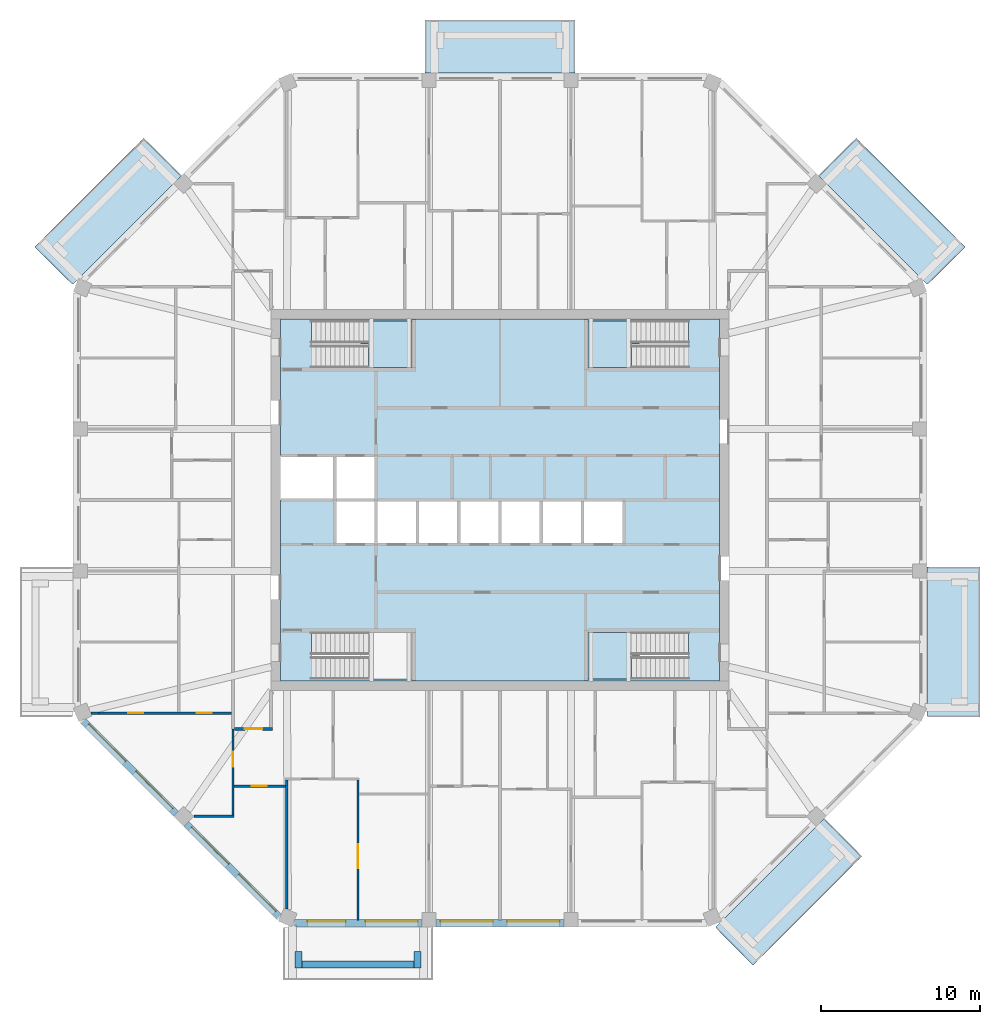
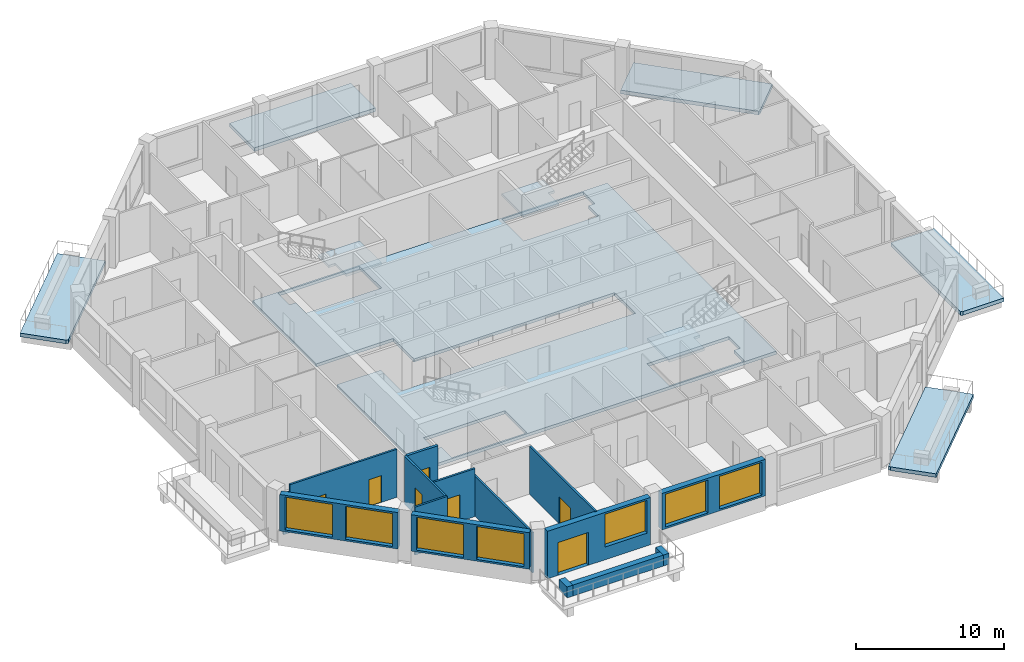
# One storey, part 2 of 11: 15 walls, 9 slabs, 7 doors, 7 windows, 14 openings, 3 elements without a shape of their own.
"""IFC4 building model written with IfcOpenShell, lengths in metres."""

from ifc_helpers import new_model, si_unit, direction, frame, frame_2d, origin, place, context, subcontext, project, spatial, polyline, rectangle, outline, extrude, material, layer, layer_set, type_object, element, fill, aggregate, save


model = new_model("IFC4")

# Units and contexts
model_context = context("Model", 3, precision=1e-05, world=origin(), true_north=direction((0.0, 1.0)))
body_context = subcontext(model_context, "Body", "Model", "MODEL_VIEW")
ifc_project = project(units=[si_unit("LENGTHUNIT", "METRE"), si_unit("AREAUNIT", "SQUARE_METRE"), si_unit("VOLUMEUNIT", "CUBIC_METRE"), si_unit("PLANEANGLEUNIT", "RADIAN"), si_unit("MASSUNIT", "GRAM", prefix="KILO")], contexts=[model_context])

# Site, building, storey
site_placement = place(None, origin())
site = spatial("IfcSite", under=ifc_project, at=site_placement, CompositionType="ELEMENT")
building_placement = place(site_placement, origin())
building = spatial("IfcBuilding", under=site, at=building_placement, Name="Msitu Wima Residences", CompositionType="ELEMENT")
storey_placement = place(building_placement, frame((0.0, 0.0, 234.89990234375)))
storey = spatial("IfcBuildingStorey", under=building, at=storey_placement, Name="L54", CompositionType="ELEMENT", Elevation=234.89990234375)

# Slabs
ifc_material_1 = material(Name="Concrete C40/50", Category="concrete")
ifc_layer_1 = layer(ifc_material_1, 0.300048828125)
ifc_layer_set_1 = layer_set([ifc_layer_1], Name="Concrete C40/50")
slab_type_1 = type_object("IfcSlabType", Name="Balcony slab BS300", PredefinedType="FLOOR", material=ifc_layer_set_1)
slab_1_placement = place(storey_placement, frame((0.0, 0.0, -0.2998046875)))
element("IfcSlab", 1, at=slab_1_placement, inside=storey, type_object=slab_type_1, Name="Balcony E0 L54", PredefinedType="FLOOR", context=body_context, shape_type="SweptSolid", body=[
    extrude(outline(polyline([(26.85009765625, -13.105224609375), (26.85009765625, -13.105224609375), (26.85009765625, -4.918701171875), (26.85009765625, -4.21875), (30.199951171875, -4.21875), (30.199951171875, -13.656005859375), (27.003662109375, -13.656005859375), (26.85009765625, -13.59228515625), (26.85009765625, -13.105224609375), (26.85009765625, -13.105224609375)])), origin(), (0.0, 0.0, 1.0), 0.2998046875),
])
slab_2_placement = place(storey_placement, frame((0.0, 0.0, -0.2998046875)))
element("IfcSlab", 2, at=slab_2_placement, inside=storey, type_object=slab_type_1, Name="Balcony NE0 L54", PredefinedType="FLOOR", context=body_context, shape_type="SweptSolid", body=[
    extrude(outline(polyline([(26.505615234375, 13.936767578125), (26.505615234375, 13.936767578125), (20.04443359375, 20.39794921875), (22.4130859375, 22.766845703125), (29.263671875, 15.916015625), (27.003662109375, 13.656005859375), (26.85009765625, 13.59228515625), (26.505615234375, 13.936767578125), (26.505615234375, 13.936767578125)])), origin(), (0.0, 0.0, 1.0), 0.2998046875),
])
slab_3_placement = place(storey_placement, frame((0.0, 0.0, -0.2998046875)))
element("IfcSlab", 3, at=slab_3_placement, inside=storey, type_object=slab_type_1, Name="Balcony N1 L54", PredefinedType="FLOOR", context=body_context, shape_type="SweptSolid", body=[
    extrude(outline(polyline([(4.0185546875, 26.85009765625), (-4.0185546875, 26.85009765625), (-4.71875, 26.85009765625), (-4.71875, 30.199951171875), (4.71875, 30.199951171875), (4.71875, 26.85009765625), (4.0185546875, 26.85009765625)])), origin(), (0.0, 0.0, 1.0), 0.2998046875),
])
slab_4_placement = place(storey_placement, frame((0.0, 0.0, -0.2998046875)))
element("IfcSlab", 4, at=slab_4_placement, inside=storey, type_object=slab_type_1, Name="Balcony NW1 L54", PredefinedType="FLOOR", context=body_context, shape_type="SweptSolid", body=[
    extrude(outline(polyline([(-26.505615234375, 13.936767578125), (-26.505615234375, 13.936767578125), (-26.85009765625, 13.59228515625), (-27.003662109375, 13.656005859375), (-29.263671875, 15.916015625), (-22.4130859375, 22.766845703125), (-20.04443359375, 20.39794921875), (-26.505615234375, 13.936767578125), (-26.505615234375, 13.936767578125)])), origin(), (0.0, 0.0, 1.0), 0.2998046875),
])
slab_5_placement = place(storey_placement, frame((0.0, 0.0, -0.2998046875)))
element("IfcSlab", 5, at=slab_5_placement, inside=storey, type_object=slab_type_1, Name="Balcony SE0 L54", PredefinedType="FLOOR", context=body_context, shape_type="SweptSolid", body=[
    extrude(outline(polyline([(13.936767578125, -26.505615234375), (13.936767578125, -26.505615234375), (20.39794921875, -20.04443359375), (22.766845703125, -22.4130859375), (15.916015625, -29.263671875), (13.656005859375, -27.003662109375), (13.59228515625, -26.85009765625), (13.936767578125, -26.505615234375), (13.936767578125, -26.505615234375)])), origin(), (0.0, 0.0, 1.0), 0.2998046875),
])
ifc_layer_2 = layer(ifc_material_1, 0.25)
ifc_layer_set_2 = layer_set([ifc_layer_2], Name="Concrete C40/50")
slab_type_2 = type_object("IfcSlabType", Name="Core floor CF250", PredefinedType="FLOOR", material=ifc_layer_set_2)
slab_6_placement = place(storey_placement, frame((0.0, 0.0, -0.25)))
element("IfcSlab", 6, at=slab_6_placement, inside=storey, type_object=slab_type_2, Name="Core floor", PredefinedType="FLOOR", context=body_context, shape_type="SweptSolid", body=[
    extrude(outline(polyline([(-13.800048828125, 11.39990234375), (-13.800048828125, 2.800048828125), (-10.39990234375, 2.800048828125), (-7.800048828125, 2.800048828125), (-7.800048828125, 0.0), (-5.199951171875, 0.0), (-2.60009765625, 0.0), (0.0, 0.0), (2.60009765625, 0.0), (5.199951171875, 0.0), (7.800048828125, 0.0), (7.800048828125, -2.800048828125), (5.199951171875, -2.800048828125), (2.60009765625, -2.800048828125), (0.0, -2.800048828125), (-2.60009765625, -2.800048828125), (-5.199951171875, -2.800048828125), (-7.800048828125, -2.800048828125), (-10.39990234375, -2.800048828125), (-10.39990234375, 0.0), (-13.800048828125, 0.0), (-13.800048828125, -11.39990234375), (13.800048828125, -11.39990234375), (13.800048828125, 11.39990234375), (-13.800048828125, 11.39990234375)]), holes=[polyline([(-11.375, -11.27490234375), (-11.375, -9.875), (-11.87451171875, -9.875), (-11.87451171875, -8.324951171875), (-5.52490234375, -8.324951171875), (-5.52490234375, -11.27490234375), (-11.375, -11.27490234375)]), polyline([(-11.375, 8.324951171875), (-11.375, 9.72509765625), (-11.87451171875, 9.72509765625), (-11.87451171875, 11.27490234375), (-5.52490234375, 11.27490234375), (-5.52490234375, 8.324951171875), (-11.375, 8.324951171875)]), polyline([(11.375, -9.875), (11.375, -11.27490234375), (5.52490234375, -11.27490234375), (5.52490234375, -8.324951171875), (11.87451171875, -8.324951171875), (11.87451171875, -9.875), (11.375, -9.875)]), polyline([(11.375, 9.72509765625), (11.375, 8.324951171875), (5.52490234375, 8.324951171875), (5.52490234375, 11.27490234375), (11.87451171875, 11.27490234375), (11.87451171875, 9.72509765625), (11.375, 9.72509765625)])]), origin(), (0.0, 0.0, 1.0), 0.25),
])

# Stair, slab
stair_type = type_object("IfcStairType", Name="Exit stair ES1615-140", PredefinedType="HALF_TURN_STAIR", material=ifc_material_1)
stair_1_placement = place(storey_placement, origin())
stair_1 = element("IfcStair", 7, at=stair_1_placement, inside=storey, type_object=stair_type, Name="Exit stair 1", PredefinedType="HALF_TURN_STAIR")
ifc_layer_3 = layer(ifc_material_1, 0.199951171875)
ifc_layer_set_3 = layer_set([ifc_layer_3], Name="Concrete C40/50")
slab_type_3 = type_object("IfcSlabType", Name="Stair landing SL200", PredefinedType="LANDING", material=ifc_layer_set_3)
slab_7_placement = place(storey_placement, frame((0.0, 0.0, 1.900146484375)))
slab_7 = element("IfcSlab", 8, at=slab_7_placement, type_object=slab_type_3, Name="S1 landing 1", PredefinedType="LANDING", context=body_context, shape_type="SweptSolid", body=[
    extrude(outline(polyline([(-5.52490234375, 8.324951171875), (-8.275390625, 8.324951171875), (-8.275390625, 9.800048828125), (-8.77490234375, 9.800048828125), (-8.77490234375, 11.27490234375), (-5.52490234375, 11.27490234375), (-5.52490234375, 8.324951171875)])), origin(), (0.0, 0.0, 1.0), 0.199951171875),
])
aggregate(stair_1, [slab_7])

stair_2_placement = place(storey_placement, origin())
stair_2 = element("IfcStair", 9, at=stair_2_placement, inside=storey, type_object=stair_type, Name="Exit stair 3", PredefinedType="HALF_TURN_STAIR")
slab_8_placement = place(storey_placement, frame((0.0, 0.0, 1.900146484375)))
slab_8 = element("IfcSlab", 10, at=slab_8_placement, type_object=slab_type_3, Name="S3 landing 1", PredefinedType="LANDING", context=body_context, shape_type="SweptSolid", body=[
    extrude(outline(polyline([(5.52490234375, 8.324951171875), (8.275390625, 8.324951171875), (8.275390625, 9.800048828125), (8.77490234375, 9.800048828125), (8.77490234375, 11.27490234375), (5.52490234375, 11.27490234375), (5.52490234375, 8.324951171875)])), origin(), (0.0, 0.0, 1.0), 0.199951171875),
])
aggregate(stair_2, [slab_8])

stair_3_placement = place(storey_placement, origin())
stair_3 = element("IfcStair", 11, at=stair_3_placement, inside=storey, type_object=stair_type, Name="Exit stair 4", PredefinedType="HALF_TURN_STAIR")
slab_9_placement = place(storey_placement, frame((0.0, 0.0, 1.900146484375)))
slab_9 = element("IfcSlab", 12, at=slab_9_placement, type_object=slab_type_3, Name="S4 landing 1", PredefinedType="LANDING", context=body_context, shape_type="SweptSolid", body=[
    extrude(outline(polyline([(5.52490234375, -11.27490234375), (8.275390625, -11.27490234375), (8.275390625, -9.800048828125), (8.77490234375, -9.800048828125), (8.77490234375, -8.324951171875), (5.52490234375, -8.324951171875), (5.52490234375, -11.27490234375)])), origin(), (0.0, 0.0, 1.0), 0.199951171875),
])
aggregate(stair_3, [slab_9])

# Walls
ifc_material_2 = material(Name="Facing brick")
ifc_layer_4 = layer(ifc_material_2, 0.06494140625, Name="Facing brick")
ifc_layer_5 = layer(ifc_material_1, 0.156005859375, Name="Concrete C40/50")
ifc_material_3 = material(Name="Waterproofing membrane")
ifc_layer_6 = layer(ifc_material_3, 0.00390625, Name="Waterproofing membrane")
ifc_material_4 = material(Name="Planting soil and planting")
ifc_layer_7 = layer(ifc_material_4, 0.22509765625, Name="Planting soil and planting")
ifc_layer_set_4 = layer_set([ifc_layer_4, ifc_layer_5, ifc_layer_6, ifc_layer_7], Name="Concrete C40/50")
wall_type_1 = type_object("IfcWallType", Name="Balcony planter PLANTER PL450", PredefinedType="USERDEFINED", material=ifc_layer_set_4)
wall_1_placement = place(storey_placement, frame((-12.455810546875, -29.22509765625, 0.0), z_axis=(0.0, 0.0, 1.0), x_axis=(1.0, 0.0, 0.0)))
element("IfcWall", 13, at=wall_1_placement, inside=storey, type_object=wall_type_1, Name="Balcony planter S0 L54", ObjectType="PLANTER", PredefinedType="USERDEFINED", context=body_context, shape_type="SweptSolid", body=[
    extrude(rectangle(XDim=7.037109375, YDim=0.449951171875, at=frame_2d((3.5185546875, 0.0))), origin(), (0.0, 0.0, 1.0), 0.900146484375),
])
for number, where, z_axis, x_axis, name in (
    (14, (-12.680908203125, -28.39990234375, 0.0), (0.0, 0.0, 1.0), (0.0, -1.0, 0.0), "Balcony planter S0 L54"),
    (15, (-5.193603515625, -28.39990234375, 0.0), (0.0, 0.0, 1.0), (0.0, -1.0, 0.0), "Balcony planter S0 L54"),
):
    element("IfcWall", number, at=place(storey_placement, frame(where, z_axis=z_axis, x_axis=x_axis)), inside=storey, type_object=wall_type_1, Name=name, ObjectType="PLANTER", PredefinedType="USERDEFINED", context=body_context, shape_type="SweptSolid", body=[
        extrude(rectangle(XDim=1.050048828125, YDim=0.449951171875, at=frame_2d((0.52490234375, 0.0))), origin(), (0.0, 0.0, 1.0), 0.900146484375),
    ])

# Wall, openings, windows
ifc_material_5 = material(Name="Brick (red buff mix)", Category="masonry")
ifc_layer_8 = layer(ifc_material_5, 0.449951171875)
ifc_layer_set_5 = layer_set([ifc_layer_8], Name="Brick (red buff mix)")
wall_type_2 = type_object("IfcWallType", Name="Brick infill wall BW450", PredefinedType="SOLIDWALL", material=ifc_layer_set_5)
wall_2_placement = place(storey_placement, frame((-26.214599609375, -13.909423828125, 0.900146484375), z_axis=(0.0, 0.0, 1.0), x_axis=(0.707106781187, -0.707106781187, 0.0)))
wall_2 = element("IfcWall", 16, at=wall_2_placement, inside=storey, type_object=wall_type_2, Name="Brick infill wall L54 SW0", PredefinedType="SOLIDWALL", context=body_context, shape_type="SweptSolid", body=[
    extrude(rectangle(XDim=8.251220703125, YDim=0.449951171875, at=frame_2d((4.12548828125, 0.0))), origin(), (0.0, 0.0, 1.0), 3.0),
])
opening_1_placement = place(wall_2_placement, frame((0.37548828125, 0.0, 0.14990234375)))
opening_1 = element("IfcOpeningElement", 17, at=opening_1_placement, cuts=wall_2, Name="Opening W52-54.025", PredefinedType="OPENING", context=body_context, shape_type="SweptSolid", body=[
    extrude(rectangle(XDim=3.300048828125, YDim=2.699951171875, at=frame_2d((1.64990234375, 1.35009765625))), frame((0.0, 0.23486328125, 0.0), z_axis=(0.0, -1.0, 0.0), x_axis=(1.0, 0.0, 0.0)), (0.0, 0.0, 1.0), 0.469970703125),
])
opening_2_placement = place(wall_2_placement, frame((4.57568359375, 0.0, 0.14990234375)))
opening_2 = element("IfcOpeningElement", 18, at=opening_2_placement, cuts=wall_2, Name="Opening W52-54.026", PredefinedType="OPENING", context=body_context, shape_type="SweptSolid", body=[
    extrude(rectangle(XDim=3.300048828125, YDim=2.699951171875, at=frame_2d((1.64990234375, 1.35009765625))), frame((0.0, 0.23486328125, 0.0), z_axis=(0.0, -1.0, 0.0), x_axis=(1.0, 0.0, 0.0)), (0.0, 0.0, 1.0), 0.469970703125),
])
ifc_material_6 = material(Name="Anodised aluminium, bronze finish, clear low-emissivity double glazing", Category="aluminium")
window_type = type_object("IfcWindowType", Name="Window W3300x2700", PartitioningType="DOUBLE_PANEL_VERTICAL", PredefinedType="WINDOW", material=ifc_material_6)
window_1_placement = place(opening_1_placement, origin())
window_1 = element("IfcWindow", 19, at=window_1_placement, inside=storey, type_object=window_type, Name="Window L54 SW0.1", OverallHeight=2.699951171875, OverallWidth=3.300048828125, PartitioningType="SINGLE_PANEL", PredefinedType="WINDOW", context=body_context, shape_type="SweptSolid", body=[
    extrude(rectangle(XDim=3.300048828125, YDim=2.699951171875, at=frame_2d((1.64990234375, 1.35009765625))), frame((0.0, 0.135009765625, 0.0), z_axis=(0.0, -1.0, 0.0), x_axis=(1.0, 0.0, 0.0)), (0.0, 0.0, 1.0), 0.06005859375),
])
fill(opening_1, window_1)
window_2_placement = place(opening_2_placement, origin())
window_2 = element("IfcWindow", 20, at=window_2_placement, inside=storey, type_object=window_type, Name="Window L54 SW0.2", OverallHeight=2.699951171875, OverallWidth=3.300048828125, PartitioningType="SINGLE_PANEL", PredefinedType="WINDOW", context=body_context, shape_type="SweptSolid", body=[
    extrude(rectangle(XDim=3.300048828125, YDim=2.699951171875, at=frame_2d((1.64990234375, 1.35009765625))), frame((0.0, 0.135009765625, 0.0), z_axis=(0.0, -1.0, 0.0), x_axis=(1.0, 0.0, 0.0)), (0.0, 0.0, 1.0), 0.06005859375),
])
fill(opening_2, window_2)

wall_3_placement = place(storey_placement, frame((-19.743896484375, -20.380126953125, 0.900146484375), z_axis=(0.0, 0.0, 1.0), x_axis=(0.707106781187, -0.707106781187, 0.0)))
wall_3 = element("IfcWall", 21, at=wall_3_placement, inside=storey, type_object=wall_type_2, Name="Brick infill wall L54 SW1", PredefinedType="SOLIDWALL", context=body_context, shape_type="SweptSolid", body=[
    extrude(rectangle(XDim=8.251220703125, YDim=0.449951171875, at=frame_2d((4.12548828125, 0.0))), origin(), (0.0, 0.0, 1.0), 3.0),
])
opening_3_placement = place(wall_3_placement, frame((0.37548828125, 0.0, 0.14990234375)))
opening_3 = element("IfcOpeningElement", 22, at=opening_3_placement, cuts=wall_3, Name="Opening W52-54.027", PredefinedType="OPENING", context=body_context, shape_type="SweptSolid", body=[
    extrude(rectangle(XDim=3.300048828125, YDim=2.699951171875, at=frame_2d((1.64990234375, 1.35009765625))), frame((0.0, 0.23486328125, 0.0), z_axis=(0.0, -1.0, 0.0), x_axis=(1.0, 0.0, 0.0)), (0.0, 0.0, 1.0), 0.469970703125),
])
opening_4_placement = place(wall_3_placement, frame((4.57568359375, 0.0, 0.14990234375)))
opening_4 = element("IfcOpeningElement", 23, at=opening_4_placement, cuts=wall_3, Name="Opening W52-54.028", PredefinedType="OPENING", context=body_context, shape_type="SweptSolid", body=[
    extrude(rectangle(XDim=3.300048828125, YDim=2.699951171875, at=frame_2d((1.64990234375, 1.35009765625))), frame((0.0, 0.23486328125, 0.0), z_axis=(0.0, -1.0, 0.0), x_axis=(1.0, 0.0, 0.0)), (0.0, 0.0, 1.0), 0.469970703125),
])
window_3_placement = place(opening_3_placement, origin())
window_3 = element("IfcWindow", 24, at=window_3_placement, inside=storey, type_object=window_type, Name="Window L54 SW1.1", OverallHeight=2.699951171875, OverallWidth=3.300048828125, PartitioningType="SINGLE_PANEL", PredefinedType="WINDOW", context=body_context, shape_type="SweptSolid", body=[
    extrude(rectangle(XDim=3.300048828125, YDim=2.699951171875, at=frame_2d((1.64990234375, 1.35009765625))), frame((0.0, 0.135009765625, 0.0), z_axis=(0.0, -1.0, 0.0), x_axis=(1.0, 0.0, 0.0)), (0.0, 0.0, 1.0), 0.06005859375),
])
fill(opening_3, window_3)
window_4_placement = place(opening_4_placement, origin())
window_4 = element("IfcWindow", 25, at=window_4_placement, inside=storey, type_object=window_type, Name="Window L54 SW1.2", OverallHeight=2.699951171875, OverallWidth=3.300048828125, PartitioningType="SINGLE_PANEL", PredefinedType="WINDOW", context=body_context, shape_type="SweptSolid", body=[
    extrude(rectangle(XDim=3.300048828125, YDim=2.699951171875, at=frame_2d((1.64990234375, 1.35009765625))), frame((0.0, 0.135009765625, 0.0), z_axis=(0.0, -1.0, 0.0), x_axis=(1.0, 0.0, 0.0)), (0.0, 0.0, 1.0), 0.06005859375),
])
fill(opening_4, window_4)

# Wall, openings, door, window
wall_4_placement = place(storey_placement, frame((-12.918701171875, -26.625, 0.0), z_axis=(0.0, 0.0, 1.0), x_axis=(1.0, 0.0, 0.0)))
wall_4 = element("IfcWall", 26, at=wall_4_placement, inside=storey, type_object=wall_type_2, Name="Brick infill wall L54 S0", PredefinedType="SOLIDWALL", context=body_context, shape_type="SweptSolid", body=[
    extrude(rectangle(XDim=8.0, YDim=0.449951171875, at=frame_2d((4.0, 0.0))), origin(), (0.0, 0.0, 1.0), 3.900146484375),
])
opening_5_placement = place(wall_4_placement, frame((0.800048828125, 0.0, 0.0)))
opening_5 = element("IfcOpeningElement", 27, at=opening_5_placement, cuts=wall_4, Name="Opening D52-54.005", PredefinedType="OPENING", context=body_context, shape_type="SweptSolid", body=[
    extrude(rectangle(XDim=2.39990234375, YDim=2.699951171875, at=frame_2d((1.199951171875, 1.35009765625))), frame((0.0, 0.23486328125, 0.0), z_axis=(0.0, -1.0, 0.0), x_axis=(1.0, 0.0, 0.0)), (0.0, 0.0, 1.0), 0.469970703125),
])
opening_6_placement = place(wall_4_placement, frame((4.4501953125, 0.0, 1.050048828125)))
opening_6 = element("IfcOpeningElement", 28, at=opening_6_placement, cuts=wall_4, Name="Opening W52-54.017", PredefinedType="OPENING", context=body_context, shape_type="SweptSolid", body=[
    extrude(rectangle(XDim=3.300048828125, YDim=2.699951171875, at=frame_2d((1.64990234375, 1.35009765625))), frame((0.0, 0.23486328125, 0.0), z_axis=(0.0, -1.0, 0.0), x_axis=(1.0, 0.0, 0.0)), (0.0, 0.0, 1.0), 0.469970703125),
])
door_type_1 = type_object("IfcDoorType", Name="Balcony door D2400x2700", OperationType="SLIDING_TO_LEFT", PredefinedType="DOOR", material=ifc_material_6)
door_1_placement = place(opening_5_placement, origin())
door_1 = element("IfcDoor", 29, at=door_1_placement, inside=storey, type_object=door_type_1, Name="Balcony door L54 S0", OperationType="SINGLE_SWING_LEFT", OverallHeight=2.699951171875, OverallWidth=2.39990234375, PredefinedType="DOOR", context=body_context, shape_type="SweptSolid", body=[
    extrude(rectangle(XDim=2.39990234375, YDim=2.699951171875, at=frame_2d((1.199951171875, 1.35009765625))), frame((0.0, 0.1298828125, 0.0), z_axis=(0.0, -1.0, 0.0), x_axis=(1.0, 0.0, 0.0)), (0.0, 0.0, 1.0), 0.050048828125),
])
fill(opening_5, door_1)
window_5_placement = place(opening_6_placement, origin())
window_5 = element("IfcWindow", 30, at=window_5_placement, inside=storey, type_object=window_type, Name="Window L54 S0.2", OverallHeight=2.699951171875, OverallWidth=3.300048828125, PartitioningType="SINGLE_PANEL", PredefinedType="WINDOW", context=body_context, shape_type="SweptSolid", body=[
    extrude(rectangle(XDim=3.300048828125, YDim=2.699951171875, at=frame_2d((1.64990234375, 1.35009765625))), frame((0.0, 0.135009765625, 0.0), z_axis=(0.0, -1.0, 0.0), x_axis=(1.0, 0.0, 0.0)), (0.0, 0.0, 1.0), 0.06005859375),
])
fill(opening_6, window_5)

# Wall, openings, windows
wall_5_placement = place(storey_placement, frame((-4.0185546875, -26.625, 0.900146484375), z_axis=(0.0, 0.0, 1.0), x_axis=(1.0, 0.0, 0.0)))
wall_5 = element("IfcWall", 31, at=wall_5_placement, inside=storey, type_object=wall_type_2, Name="Brick infill wall L54 S1", PredefinedType="SOLIDWALL", context=body_context, shape_type="SweptSolid", body=[
    extrude(rectangle(XDim=8.037109375, YDim=0.449951171875, at=frame_2d((4.0185546875, 0.0))), origin(), (0.0, 0.0, 1.0), 3.0),
])
opening_7_placement = place(wall_5_placement, frame((0.2685546875, 0.0, 0.14990234375)))
opening_7 = element("IfcOpeningElement", 32, at=opening_7_placement, cuts=wall_5, Name="Opening W52-54.018", PredefinedType="OPENING", context=body_context, shape_type="SweptSolid", body=[
    extrude(rectangle(XDim=3.300048828125, YDim=2.699951171875, at=frame_2d((1.64990234375, 1.35009765625))), frame((0.0, 0.23486328125, 0.0), z_axis=(0.0, -1.0, 0.0), x_axis=(1.0, 0.0, 0.0)), (0.0, 0.0, 1.0), 0.469970703125),
])
opening_8_placement = place(wall_5_placement, frame((4.46875, 0.0, 0.14990234375)))
opening_8 = element("IfcOpeningElement", 33, at=opening_8_placement, cuts=wall_5, Name="Opening W52-54.019", PredefinedType="OPENING", context=body_context, shape_type="SweptSolid", body=[
    extrude(rectangle(XDim=3.300048828125, YDim=2.699951171875, at=frame_2d((1.64990234375, 1.35009765625))), frame((0.0, 0.23486328125, 0.0), z_axis=(0.0, -1.0, 0.0), x_axis=(1.0, 0.0, 0.0)), (0.0, 0.0, 1.0), 0.469970703125),
])
window_6_placement = place(opening_7_placement, origin())
window_6 = element("IfcWindow", 34, at=window_6_placement, inside=storey, type_object=window_type, Name="Window L54 S1.1", OverallHeight=2.699951171875, OverallWidth=3.300048828125, PartitioningType="SINGLE_PANEL", PredefinedType="WINDOW", context=body_context, shape_type="SweptSolid", body=[
    extrude(rectangle(XDim=3.300048828125, YDim=2.699951171875, at=frame_2d((1.64990234375, 1.35009765625))), frame((0.0, 0.135009765625, 0.0), z_axis=(0.0, -1.0, 0.0), x_axis=(1.0, 0.0, 0.0)), (0.0, 0.0, 1.0), 0.06005859375),
])
fill(opening_7, window_6)
window_7_placement = place(opening_8_placement, origin())
window_7 = element("IfcWindow", 35, at=window_7_placement, inside=storey, type_object=window_type, Name="Window L54 S1.2", OverallHeight=2.699951171875, OverallWidth=3.300048828125, PartitioningType="SINGLE_PANEL", PredefinedType="WINDOW", context=body_context, shape_type="SweptSolid", body=[
    extrude(rectangle(XDim=3.300048828125, YDim=2.699951171875, at=frame_2d((1.64990234375, 1.35009765625))), frame((0.0, 0.135009765625, 0.0), z_axis=(0.0, -1.0, 0.0), x_axis=(1.0, 0.0, 0.0)), (0.0, 0.0, 1.0), 0.06005859375),
])
fill(opening_8, window_7)

# Wall, opening, door
ifc_material_7 = material(Name="Plaster")
ifc_layer_9 = layer(ifc_material_7, 0.011962890625, Name="Plaster")
ifc_material_8 = material(Name="Concrete blockwork", Category="masonry")
ifc_layer_10 = layer(ifc_material_8, 0.176025390625, Name="Concrete blockwork")
ifc_layer_11 = layer(ifc_material_7, 0.011962890625, Name="Plaster")
ifc_layer_set_6 = layer_set([ifc_layer_9, ifc_layer_10, ifc_layer_11], Name="Concrete blockwork")
wall_type_3 = type_object("IfcWallType", Name="Corridor wall FW200", PredefinedType="PARTITIONING", material=ifc_layer_set_6)
wall_6_placement = place(storey_placement, frame((-16.699951171875, -14.39990234375, 0.0), z_axis=(0.0, 0.0, 1.0), x_axis=(1.0, 0.0, 0.0)))
wall_6 = element("IfcWall", 36, at=wall_6_placement, inside=storey, type_object=wall_type_3, Name="Corridor wall", PredefinedType="PARTITIONING", context=body_context, shape_type="SweptSolid", body=[
    extrude(rectangle(XDim=2.39990234375, YDim=0.199951171875, at=frame_2d((1.199951171875, 0.0))), origin(), (0.0, 0.0, 1.0), 3.9501953125),
])
opening_9_placement = place(wall_6_placement, frame((0.64990234375, 0.0, 0.0)))
opening_9 = element("IfcOpeningElement", 37, at=opening_9_placement, cuts=wall_6, Name="Opening D52-54.037", PredefinedType="OPENING", context=body_context, shape_type="SweptSolid", body=[
    extrude(rectangle(XDim=1.10009765625, YDim=2.39990234375, at=frame_2d((0.550048828125, 1.199951171875))), frame((0.0, 0.10986328125, 0.0), z_axis=(0.0, -1.0, 0.0), x_axis=(1.0, 0.0, 0.0)), (0.0, 0.0, 1.0), 0.219970703125),
])
ifc_material_9 = material(Name="Timber flush door, fire resisting, self-closing", Category="wood")
door_type_2 = type_object("IfcDoorType", Name="Flat entrance door D01 1100x2400", OperationType="SINGLE_SWING_LEFT", PredefinedType="DOOR", material=ifc_material_9)
door_2_placement = place(opening_9_placement, origin())
door_2 = element("IfcDoor", 38, at=door_2_placement, inside=storey, type_object=door_type_2, Name="Flat entrance door", OperationType="SINGLE_SWING_RIGHT", OverallHeight=2.39990234375, OverallWidth=1.10009765625, PredefinedType="DOOR", context=body_context, shape_type="SweptSolid", body=[
    extrude(rectangle(XDim=1.10009765625, YDim=2.39990234375, at=frame_2d((0.550048828125, 1.199951171875))), frame((0.0, 0.02490234375, 0.0), z_axis=(0.0, -1.0, 0.0), x_axis=(1.0, 0.0, 0.0)), (0.0, 0.0, 1.0), 0.050048828125),
])
fill(opening_9, door_2)

# Wall
ifc_layer_12 = layer(ifc_material_7, 0.011962890625, Name="Plaster")
ifc_layer_13 = layer(ifc_material_8, 0.1259765625, Name="Concrete blockwork")
ifc_layer_14 = layer(ifc_material_7, 0.011962890625, Name="Plaster")
ifc_layer_set_7 = layer_set([ifc_layer_12, ifc_layer_13, ifc_layer_14], Name="Concrete blockwork")
wall_type_4 = type_object("IfcWallType", Name="Partition PW150", PredefinedType="PARTITIONING", material=ifc_layer_set_7)
wall_7_placement = place(storey_placement, frame((-25.731201171875, -13.406005859375, 0.0), z_axis=(0.0, 0.0, 1.0), x_axis=(1.0, 0.0, 0.0)))
element("IfcWall", 39, at=wall_7_placement, inside=storey, type_object=wall_type_4, Name="Partition", PredefinedType="PARTITIONING", context=body_context, shape_type="SweptSolid", body=[
    extrude(rectangle(XDim=0.507080078125, YDim=0.14990234375, at=frame_2d((0.25341796875, 0.0))), origin(), (0.0, 0.0, 1.0), 3.35009765625),
])

# Wall, openings, doors
wall_8_placement = place(storey_placement, frame((-25.22412109375, -13.406005859375, 0.0), z_axis=(0.0, 0.0, 1.0), x_axis=(1.0, 0.0, 0.0)))
wall_8 = element("IfcWall", 40, at=wall_8_placement, inside=storey, type_object=wall_type_4, Name="Partition", PredefinedType="PARTITIONING", context=body_context, shape_type="SweptSolid", body=[
    extrude(rectangle(XDim=8.32421875, YDim=0.14990234375, at=frame_2d((4.162109375, 0.0))), origin(), (0.0, 0.0, 1.0), 3.9501953125),
])
opening_10_placement = place(wall_8_placement, frame((6.142822265625, 0.0, 0.0)))
opening_10 = element("IfcOpeningElement", 41, at=opening_10_placement, cuts=wall_8, Name="Opening D52-54.047", PredefinedType="OPENING", context=body_context, shape_type="SweptSolid", body=[
    extrude(rectangle(XDim=0.949951171875, YDim=2.199951171875, at=frame_2d((0.47509765625, 1.10009765625))), frame((0.0, 0.0849609375, 0.0), z_axis=(0.0, -1.0, 0.0), x_axis=(1.0, 0.0, 0.0)), (0.0, 0.0, 1.0), 0.169921875),
])
opening_11_placement = place(wall_8_placement, frame((1.8427734375, 0.0, 0.0)))
opening_11 = element("IfcOpeningElement", 42, at=opening_11_placement, cuts=wall_8, Name="Opening D52-54.050", PredefinedType="OPENING", context=body_context, shape_type="SweptSolid", body=[
    extrude(rectangle(XDim=0.949951171875, YDim=2.199951171875, at=frame_2d((0.47509765625, 1.10009765625))), frame((0.0, 0.0849609375, 0.0), z_axis=(0.0, -1.0, 0.0), x_axis=(1.0, 0.0, 0.0)), (0.0, 0.0, 1.0), 0.169921875),
])
ifc_material_10 = material(Name="Timber flush door", Category="wood")
door_type_3 = type_object("IfcDoorType", Name="Room door D12 950x2200", OperationType="SINGLE_SWING_LEFT", PredefinedType="DOOR", material=ifc_material_10)
door_3_placement = place(opening_10_placement, origin())
door_3 = element("IfcDoor", 43, at=door_3_placement, inside=storey, type_object=door_type_3, Name="Room door", OperationType="SINGLE_SWING_LEFT", OverallHeight=2.199951171875, OverallWidth=0.949951171875, PredefinedType="DOOR", context=body_context, shape_type="SweptSolid", body=[
    extrude(rectangle(XDim=0.949951171875, YDim=2.199951171875, at=frame_2d((0.47509765625, 1.10009765625))), frame((0.0, 0.02490234375, 0.0), z_axis=(0.0, -1.0, 0.0), x_axis=(1.0, 0.0, 0.0)), (0.0, 0.0, 1.0), 0.050048828125),
])
fill(opening_10, door_3)
door_4_placement = place(opening_11_placement, origin())
door_4 = element("IfcDoor", 44, at=door_4_placement, inside=storey, type_object=door_type_3, Name="Room door", OperationType="SINGLE_SWING_RIGHT", OverallHeight=2.199951171875, OverallWidth=0.949951171875, PredefinedType="DOOR", context=body_context, shape_type="SweptSolid", body=[
    extrude(rectangle(XDim=0.949951171875, YDim=2.199951171875, at=frame_2d((0.47509765625, 1.10009765625))), frame((0.0, 0.02490234375, 0.0), z_axis=(0.0, -1.0, 0.0), x_axis=(1.0, 0.0, 0.0)), (0.0, 0.0, 1.0), 0.050048828125),
])
fill(opening_11, door_4)

# Wall
wall_9_placement = place(storey_placement, frame((-19.2666015625, -19.90283203125, 0.0), z_axis=(0.0, 0.0, 1.0), x_axis=(1.0, 0.0, 0.0)))
element("IfcWall", 45, at=wall_9_placement, inside=storey, type_object=wall_type_4, Name="Partition", PredefinedType="PARTITIONING", context=body_context, shape_type="SweptSolid", body=[
    extrude(rectangle(XDim=2.54150390625, YDim=0.14990234375, at=frame_2d((1.270751953125, 0.0))), origin(), (0.0, 0.0, 1.0), 3.9501953125),
])

# Wall, opening, door
wall_10_placement = place(storey_placement, frame((-16.800048828125, -19.827880859375, 0.0), z_axis=(0.0, 0.0, 1.0), x_axis=(0.0, 1.0, 0.0)))
wall_10 = element("IfcWall", 46, at=wall_10_placement, inside=storey, type_object=wall_type_4, Name="Partition", PredefinedType="PARTITIONING", context=body_context, shape_type="SweptSolid", body=[
    extrude(rectangle(XDim=5.427978515625, YDim=0.14990234375, at=frame_2d((2.7138671875, 0.0))), origin(), (0.0, 0.0, 1.0), 3.9501953125),
])
opening_12_placement = place(wall_10_placement, frame((3.050048828125, 0.0, 0.0)))
opening_12 = element("IfcOpeningElement", 47, at=opening_12_placement, cuts=wall_10, Name="Opening D52-54.045", PredefinedType="OPENING", context=body_context, shape_type="SweptSolid", body=[
    extrude(rectangle(XDim=0.949951171875, YDim=2.199951171875, at=frame_2d((0.47509765625, 1.10009765625))), frame((0.0, 0.0849609375, 0.0), z_axis=(0.0, -1.0, 0.0), x_axis=(1.0, 0.0, 0.0)), (0.0, 0.0, 1.0), 0.169921875),
])
door_5_placement = place(opening_12_placement, origin())
door_5 = element("IfcDoor", 48, at=door_5_placement, inside=storey, type_object=door_type_3, Name="Room door", OperationType="SINGLE_SWING_RIGHT", OverallHeight=2.199951171875, OverallWidth=0.949951171875, PredefinedType="DOOR", context=body_context, shape_type="SweptSolid", body=[
    extrude(rectangle(XDim=0.949951171875, YDim=2.199951171875, at=frame_2d((0.47509765625, 1.10009765625))), frame((0.0, 0.02490234375, 0.0), z_axis=(0.0, -1.0, 0.0), x_axis=(1.0, 0.0, 0.0)), (0.0, 0.0, 1.0), 0.050048828125),
])
fill(opening_12, door_5)

wall_11_placement = place(storey_placement, frame((-16.72509765625, -18.0, 0.0), z_axis=(0.0, 0.0, 1.0), x_axis=(1.0, 0.0, 0.0)))
wall_11 = element("IfcWall", 49, at=wall_11_placement, inside=storey, type_object=wall_type_4, Name="Partition", PredefinedType="PARTITIONING", context=body_context, shape_type="SweptSolid", body=[
    extrude(rectangle(XDim=3.244140625, YDim=0.14990234375, at=frame_2d((1.6220703125, 0.0))), origin(), (0.0, 0.0, 1.0), 3.9501953125),
])
opening_13_placement = place(wall_11_placement, frame((1.10009765625, 0.0, 0.0)))
opening_13 = element("IfcOpeningElement", 50, at=opening_13_placement, cuts=wall_11, Name="Opening D52-54.044", PredefinedType="OPENING", context=body_context, shape_type="SweptSolid", body=[
    extrude(rectangle(XDim=0.949951171875, YDim=2.199951171875, at=frame_2d((0.47509765625, 1.10009765625))), frame((0.0, 0.0849609375, 0.0), z_axis=(0.0, -1.0, 0.0), x_axis=(1.0, 0.0, 0.0)), (0.0, 0.0, 1.0), 0.169921875),
])
door_6_placement = place(opening_13_placement, origin())
door_6 = element("IfcDoor", 51, at=door_6_placement, inside=storey, type_object=door_type_3, Name="Room door", OperationType="SINGLE_SWING_RIGHT", OverallHeight=2.199951171875, OverallWidth=0.949951171875, PredefinedType="DOOR", context=body_context, shape_type="SweptSolid", body=[
    extrude(rectangle(XDim=0.949951171875, YDim=2.199951171875, at=frame_2d((0.47509765625, 1.10009765625))), frame((0.0, 0.02490234375, 0.0), z_axis=(0.0, -1.0, 0.0), x_axis=(1.0, 0.0, 0.0)), (0.0, 0.0, 1.0), 0.050048828125),
])
fill(opening_13, door_6)

# Wall
wall_12_placement = place(storey_placement, frame((-13.406005859375, -25.731201171875, 0.0), z_axis=(0.0, 0.0, 1.0), x_axis=(0.0, 1.0, 0.0)))
element("IfcWall", 52, at=wall_12_placement, inside=storey, type_object=wall_type_4, Name="Partition", PredefinedType="PARTITIONING", context=body_context, shape_type="SweptSolid", body=[
    extrude(rectangle(XDim=8.106201171875, YDim=0.14990234375, at=frame_2d((4.05322265625, 0.0))), origin(), (0.0, 0.0, 1.0), 3.300048828125),
])

# Wall, opening, door
wall_13_placement = place(storey_placement, frame((-8.937255859375, -26.455078125, 0.0), z_axis=(0.0, 0.0, 1.0), x_axis=(0.0, 1.0, 0.0)))
wall_13 = element("IfcWall", 53, at=wall_13_placement, inside=storey, type_object=wall_type_4, Name="Partition", PredefinedType="PARTITIONING", context=body_context, shape_type="SweptSolid", body=[
    extrude(rectangle(XDim=8.830078125, YDim=0.14990234375, at=frame_2d((4.4150390625, 0.0))), origin(), (0.0, 0.0, 1.0), 3.9501953125),
])
opening_14_placement = place(wall_13_placement, frame((3.300048828125, 0.0, 0.0)))
opening_14 = element("IfcOpeningElement", 54, at=opening_14_placement, cuts=wall_13, Name="Opening D52-54.046", PredefinedType="OPENING", context=body_context, shape_type="SweptSolid", body=[
    extrude(rectangle(XDim=1.5, YDim=2.199951171875, at=frame_2d((0.75, 1.10009765625))), frame((0.0, 0.0849609375, 0.0), z_axis=(0.0, -1.0, 0.0), x_axis=(1.0, 0.0, 0.0)), (0.0, 0.0, 1.0), 0.169921875),
])
ifc_material_11 = material(Name="Timber double door", Category="wood")
door_type_4 = type_object("IfcDoorType", Name="Double door D04 1500x2200", OperationType="DOUBLE_DOOR_SINGLE_SWING", PredefinedType="DOOR", material=ifc_material_11)
door_7_placement = place(opening_14_placement, origin())
door_7 = element("IfcDoor", 55, at=door_7_placement, inside=storey, type_object=door_type_4, Name="Double door", OperationType="DOUBLE_DOOR_SINGLE_SWING", OverallHeight=2.199951171875, OverallWidth=1.5, PredefinedType="DOOR", context=body_context, shape_type="SweptSolid", body=[
    extrude(rectangle(XDim=1.5, YDim=2.199951171875, at=frame_2d((0.75, 1.10009765625))), frame((0.0, 0.02490234375, 0.0), z_axis=(0.0, -1.0, 0.0), x_axis=(1.0, 0.0, 0.0)), (0.0, 0.0, 1.0), 0.050048828125),
])
fill(opening_14, door_7)

save(model, "model.ifc")
